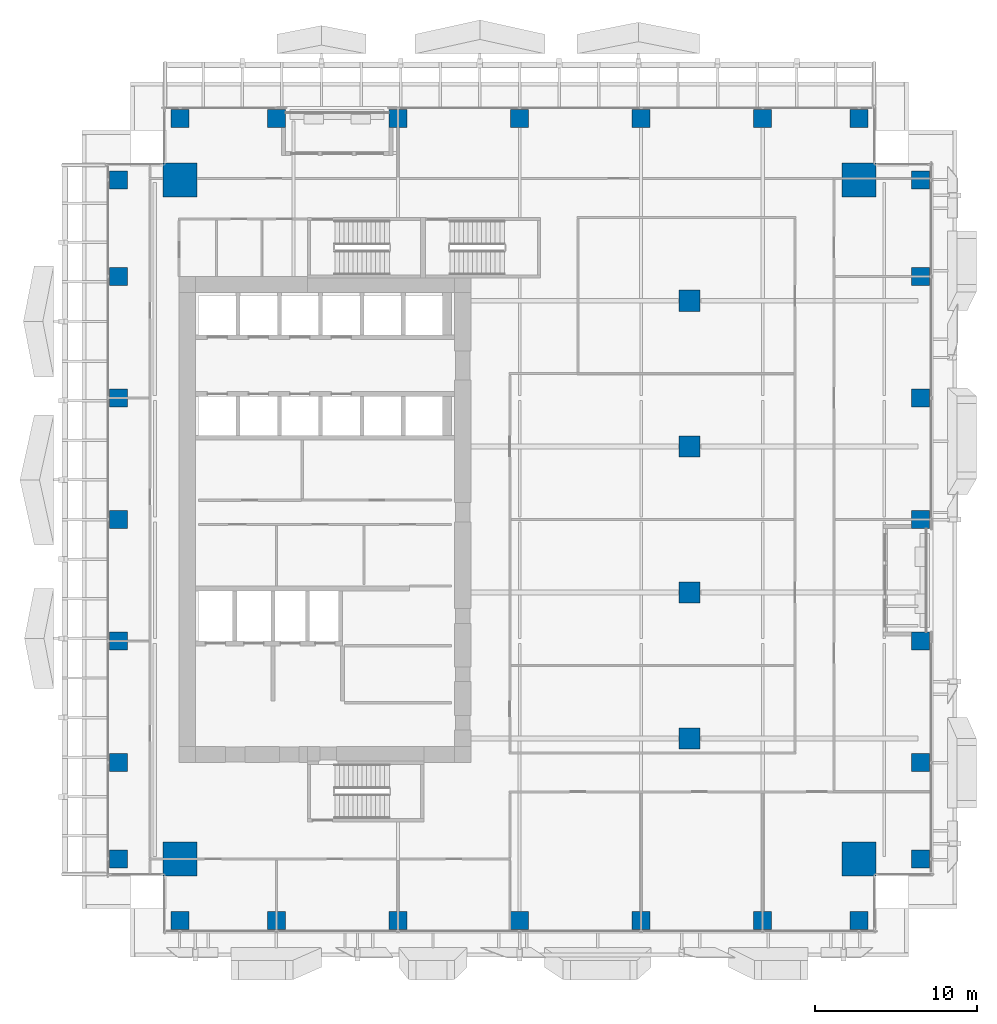
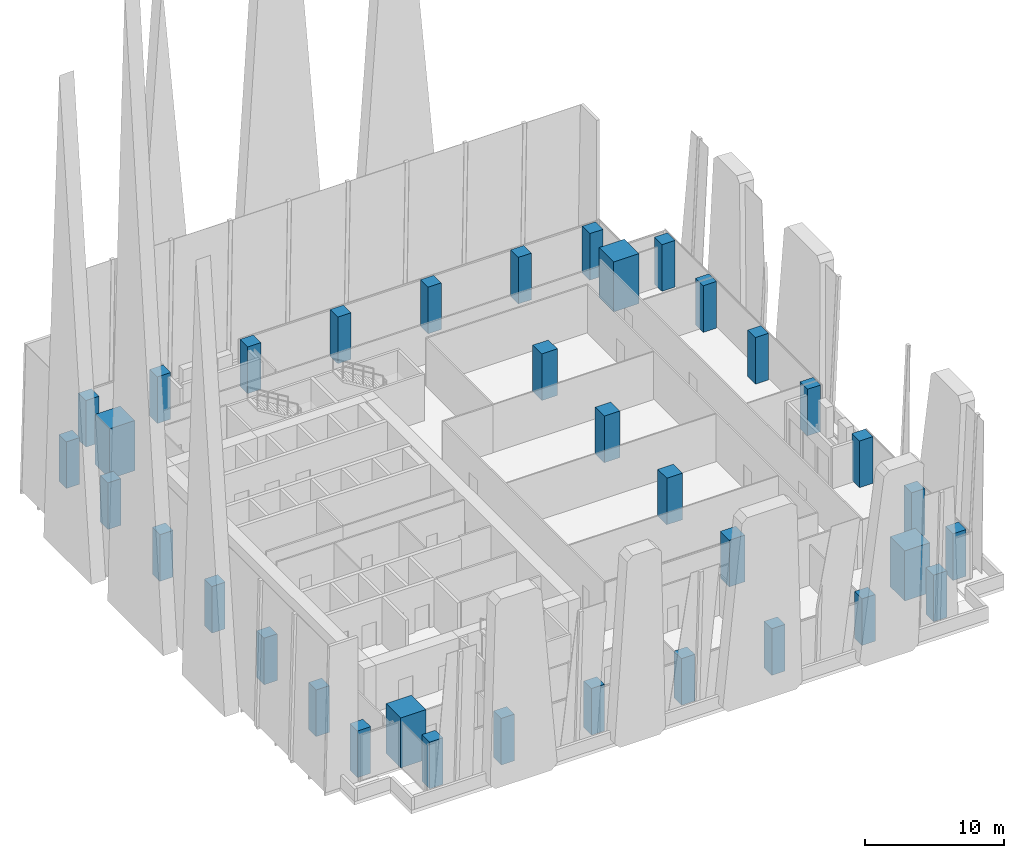
# One storey, part 1 of 37: 36 columns.
"""IFC4 building model written with IfcOpenShell, lengths in metres."""

from ifc_helpers import new_model, si_unit, direction, frame, origin, origin_2d, place, context, subcontext, project, spatial, rectangle, extrude, source, transform, mapped, material, material_profile, profile_set, type_object, element, save


model = new_model("IFC4")

# Units and contexts
model_context = context("Model", 3, precision=1e-05, world=origin(), true_north=direction((0.0, 1.0)))
body_context = subcontext(model_context, "Body", "Model", "MODEL_VIEW")
ifc_project = project(units=[si_unit("LENGTHUNIT", "METRE"), si_unit("AREAUNIT", "SQUARE_METRE"), si_unit("VOLUMEUNIT", "CUBIC_METRE"), si_unit("PLANEANGLEUNIT", "RADIAN"), si_unit("MASSUNIT", "GRAM", prefix="KILO")], contexts=[model_context])

# Site, building, storey
site_placement = place(None, origin())
site = spatial("IfcSite", under=ifc_project, at=site_placement, CompositionType="ELEMENT")
building_placement = place(site_placement, origin())
building = spatial("IfcBuilding", under=site, at=building_placement, Name="Khomas Fold Tower", CompositionType="ELEMENT")
storey_placement = place(building_placement, frame((0.0, 0.0, 101.5)))
storey = spatial("IfcBuildingStorey", under=building, at=storey_placement, Name="L21", CompositionType="ELEMENT", Elevation=101.5)

# Columns
ifc_material_1 = material(Name="Concrete C70/85", Category="concrete")
ifc_material_profile_1 = material_profile(ifc_material_1, rectangle(XDim=2.10009765625, YDim=2.10009765625, at=origin_2d()), Name="RC 2100x2100")
ifc_profile_set_1 = profile_set([ifc_material_profile_1], Name="Concrete C70/85")
column_type_1 = type_object("IfcColumnType", Name="RC 2100x2100 column", PredefinedType="COLUMN", material=ifc_profile_set_1)
shared_shape_1 = source(origin(), body_context, "Body", "SweptSolid", [
    extrude(rectangle(XDim=2.10009765625, YDim=2.10009765625, at=origin_2d()), origin(), (0.0, 0.0, 1.0), 4.39990234375),
])
for number, where, z_axis, x_axis, name in (
    (1, (47.949951171875, 47.949951171875, 0.0), (0.0, 0.0, 1.0), (1.0, 0.0, 0.0), "CM-NE"),
    (2, (6.050048828125, 47.949951171875, 0.0), (0.0, 0.0, 1.0), (1.0, 0.0, 0.0), "CM-NW"),
    (3, (47.949951171875, 6.050048828125, 0.0), (0.0, 0.0, 1.0), (1.0, 0.0, 0.0), "CM-SE"),
    (4, (6.050048828125, 6.050048828125, 0.0), (0.0, 0.0, 1.0), (1.0, 0.0, 0.0), "CM-SW"),
):
    element("IfcColumn", number, at=place(storey_placement, frame(where, z_axis=z_axis, x_axis=x_axis)), inside=storey, type_object=column_type_1, Name=name, PredefinedType="COLUMN", context=body_context, shape_type="MappedRepresentation", body=[
        mapped(shared_shape_1, transform((0.0, 0.0, 0.0))),
    ])
ifc_material_2 = material(Name="Concrete C50/60", Category="concrete")
ifc_material_profile_2 = material_profile(ifc_material_2, rectangle(XDim=1.10009765625, YDim=1.10009765625, at=origin_2d()), Name="RC 1100x1100")
ifc_profile_set_2 = profile_set([ifc_material_profile_2], Name="Concrete C50/60")
column_type_2 = type_object("IfcColumnType", Name="RC 1100x1100 column", PredefinedType="COLUMN", material=ifc_profile_set_2)
shared_shape_2 = source(origin(), body_context, "Body", "SweptSolid", [
    extrude(rectangle(XDim=1.10009765625, YDim=1.10009765625, at=origin_2d()), origin(), (0.0, 0.0, 1.0), 4.10009765625),
])
for number, where, z_axis, x_axis, name in (
    (5, (6.050048828125, 2.25, 0.0), (0.0, 0.0, 1.0), (1.0, 0.0, 0.0), "C-3-SF2"),
    (6, (12.0, 2.25, 0.0), (0.0, 0.0, 1.0), (1.0, 0.0, 0.0), "C-6-SF2"),
    (7, (19.5, 2.25, 0.0), (0.0, 0.0, 1.0), (1.0, 0.0, 0.0), "C-8-SF2"),
    (8, (27.0, 2.25, 0.0), (0.0, 0.0, 1.0), (1.0, 0.0, 0.0), "C-9-SF2"),
    (9, (34.5, 2.25, 0.0), (0.0, 0.0, 1.0), (1.0, 0.0, 0.0), "C-10-SF2"),
    (10, (42.0, 2.25, 0.0), (0.0, 0.0, 1.0), (1.0, 0.0, 0.0), "C-13-SF2"),
    (11, (47.949951171875, 2.25, 0.0), (0.0, 0.0, 1.0), (1.0, 0.0, 0.0), "C-16-SF2"),
    (12, (51.75, 6.050048828125, 0.0), (0.0, 0.0, 1.0), (1.0, 0.0, 0.0), "C-E2-C"),
    (13, (51.75, 12.0, 0.0), (0.0, 0.0, 1.0), (1.0, 0.0, 0.0), "C-E2-F"),
    (14, (51.75, 19.5, 0.0), (0.0, 0.0, 1.0), (1.0, 0.0, 0.0), "C-E2-J"),
    (15, (51.75, 27.0, 0.0), (0.0, 0.0, 1.0), (1.0, 0.0, 0.0), "C-E2-L"),
    (16, (51.75, 34.5, 0.0), (0.0, 0.0, 1.0), (1.0, 0.0, 0.0), "C-E2-N"),
    (17, (51.75, 42.0, 0.0), (0.0, 0.0, 1.0), (1.0, 0.0, 0.0), "C-E2-R"),
    (18, (51.75, 47.949951171875, 0.0), (0.0, 0.0, 1.0), (1.0, 0.0, 0.0), "C-E2-U"),
    (19, (6.050048828125, 51.75, 0.0), (0.0, 0.0, 1.0), (1.0, 0.0, 0.0), "C-3-NF2"),
    (20, (12.0, 51.75, 0.0), (0.0, 0.0, 1.0), (1.0, 0.0, 0.0), "C-6-NF2"),
    (21, (19.5, 51.75, 0.0), (0.0, 0.0, 1.0), (1.0, 0.0, 0.0), "C-8-NF2"),
    (22, (27.0, 51.75, 0.0), (0.0, 0.0, 1.0), (1.0, 0.0, 0.0), "C-9-NF2"),
    (23, (34.5, 51.75, 0.0), (0.0, 0.0, 1.0), (1.0, 0.0, 0.0), "C-10-NF2"),
    (24, (42.0, 51.75, 0.0), (0.0, 0.0, 1.0), (1.0, 0.0, 0.0), "C-13-NF2"),
    (25, (47.949951171875, 51.75, 0.0), (0.0, 0.0, 1.0), (1.0, 0.0, 0.0), "C-16-NF2"),
    (26, (2.25, 6.050048828125, 0.0), (0.0, 0.0, 1.0), (1.0, 0.0, 0.0), "C-W2-C"),
    (27, (2.25, 12.0, 0.0), (0.0, 0.0, 1.0), (1.0, 0.0, 0.0), "C-W2-F"),
    (28, (2.25, 19.5, 0.0), (0.0, 0.0, 1.0), (1.0, 0.0, 0.0), "C-W2-J"),
    (29, (2.25, 27.0, 0.0), (0.0, 0.0, 1.0), (1.0, 0.0, 0.0), "C-W2-L"),
    (30, (2.25, 34.5, 0.0), (0.0, 0.0, 1.0), (1.0, 0.0, 0.0), "C-W2-N"),
    (31, (2.25, 42.0, 0.0), (0.0, 0.0, 1.0), (1.0, 0.0, 0.0), "C-W2-R"),
    (32, (2.25, 47.949951171875, 0.0), (0.0, 0.0, 1.0), (1.0, 0.0, 0.0), "C-W2-U"),
):
    element("IfcColumn", number, at=place(storey_placement, frame(where, z_axis=z_axis, x_axis=x_axis)), inside=storey, type_object=column_type_2, Name=name, PredefinedType="COLUMN", context=body_context, shape_type="MappedRepresentation", body=[
        mapped(shared_shape_2, transform((0.0, 0.0, 0.0))),
    ])
ifc_material_3 = material(Name="Concrete C60/75", Category="concrete")
ifc_material_profile_3 = material_profile(ifc_material_3, rectangle(XDim=1.300048828125, YDim=1.300048828125, at=origin_2d()), Name="RC 1300x1300")
ifc_profile_set_3 = profile_set([ifc_material_profile_3], Name="Concrete C60/75")
column_type_3 = type_object("IfcColumnType", Name="RC 1300x1300 column", PredefinedType="COLUMN", material=ifc_profile_set_3)
shared_shape_3 = source(origin(), body_context, "Body", "SweptSolid", [
    extrude(rectangle(XDim=1.300048828125, YDim=1.300048828125, at=origin_2d()), origin(), (0.0, 0.0, 1.0), 4.10009765625),
])
for number, where, z_axis, x_axis, name in (
    (33, (37.5, 13.5, 0.0), (0.0, 0.0, 1.0), (1.0, 0.0, 0.0), "C-11-H"),
    (34, (37.5, 22.5, 0.0), (0.0, 0.0, 1.0), (1.0, 0.0, 0.0), "C-11-K"),
    (35, (37.5, 31.5, 0.0), (0.0, 0.0, 1.0), (1.0, 0.0, 0.0), "C-11-M"),
    (36, (37.5, 40.5, 0.0), (0.0, 0.0, 1.0), (1.0, 0.0, 0.0), "C-11-P"),
):
    element("IfcColumn", number, at=place(storey_placement, frame(where, z_axis=z_axis, x_axis=x_axis)), inside=storey, type_object=column_type_3, Name=name, PredefinedType="COLUMN", context=body_context, shape_type="MappedRepresentation", body=[
        mapped(shared_shape_3, transform((0.0, 0.0, 0.0))),
    ])

save(model, "model.ifc")
